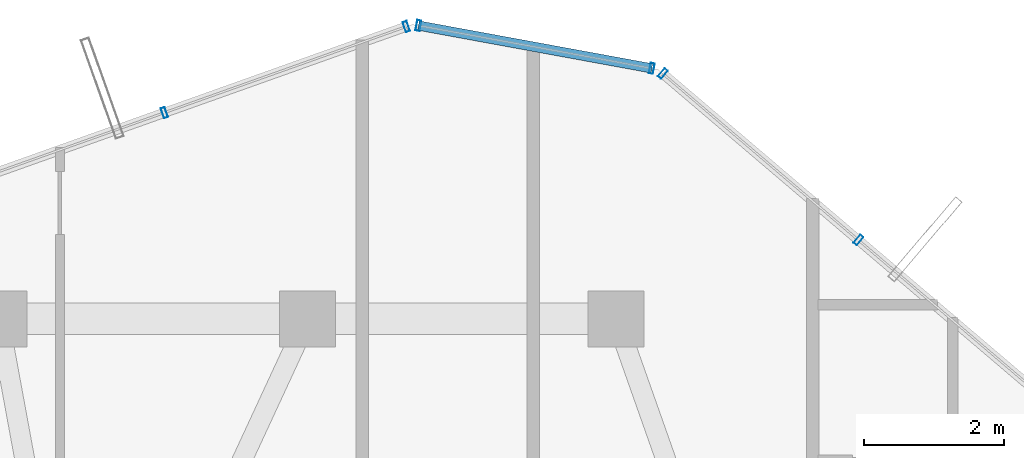
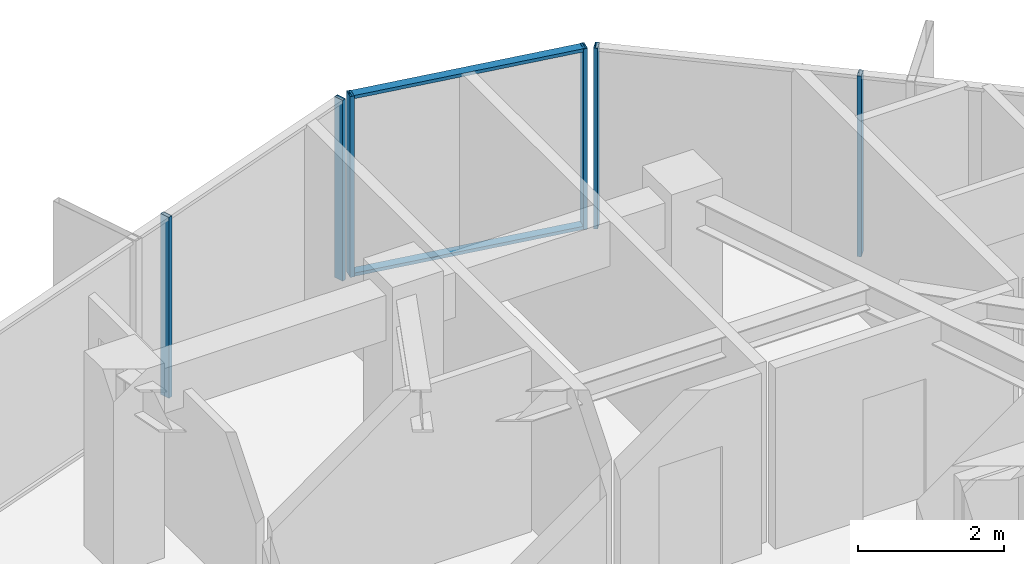
# One storey, part 23 of 29: 8 members, 3 elements without a shape of their own.
"""IFC4 building model written with IfcOpenShell, lengths in metres."""

import ifcopenshell
import ifcopenshell.guid

model = None  # the IFC model being written
_history = None  # IfcOwnerHistory: only IFC2X3 demands one
_inside = {}  # id of a spatial element -> (the spatial element, [elements in it])
_under = {}  # id of a project, library or spatial element -> (it, [spatial elements below it])
_declared = {}  # id of a project -> (the project, [libraries it declares])
_typed = {}  # id of a type object -> (the type object, [elements of that type])
_made_of = {}  # id of a material, layer set ... -> (it, [elements and type objects made of it])


def new_model(schema):
    """Start an empty IFC model of exactly this schema.

    Asked for "IFC4X3", IfcOpenShell would pick the latest addendum, in which some entities
    have other attributes; the version numbers below select the first issue.
    IFC2X3 requires an IfcOwnerHistory on every rooted entity: one is made here for all.
    """
    global model, _history
    if schema == "IFC4X3":
        model = ifcopenshell.file(schema_version=(4, 3, 0, 0))
    else:
        model = ifcopenshell.file(schema=schema)
    _inside.clear()
    _under.clear()
    _declared.clear()
    _typed.clear()
    _made_of.clear()
    _history = None
    if model.schema == "IFC2X3":
        org = make("IfcOrganization", Name="unknown")
        user = make(
            "IfcPersonAndOrganization",
            ThePerson=make("IfcPerson", FamilyName="unknown"),
            TheOrganization=org,
        )
        app = make(
            "IfcApplication",
            ApplicationDeveloper=org,
            Version="unknown",
            ApplicationFullName="unknown",
            ApplicationIdentifier="unknown",
        )
        _history = make(
            "IfcOwnerHistory",
            OwningUser=user,
            OwningApplication=app,
            ChangeAction="ADDED",
            CreationDate=0,
        )
    return model


def make(cls, **values):
    """One entity of the class cls with the attributes given. An attribute that is None is left unset."""
    return model.create_entity(
        cls, **{name: value for name, value in values.items() if value is not None}
    )


def rooted(cls, **values):
    """An entity with a GlobalId (a new one), such as an element, a storey or a relation."""
    return make(cls, GlobalId=ifcopenshell.guid.new(), OwnerHistory=_history, **values)


def si_unit(unit_type, name, prefix=None):
    """IfcSIUnit, for example si_unit("LENGTHUNIT", "METRE", prefix="MILLI")."""
    return make("IfcSIUnit", UnitType=unit_type, Prefix=prefix, Name=name)


def assignment(units):
    """IfcUnitAssignment: the units of a project."""
    return None if units is None else make("IfcUnitAssignment", Units=units)


def point(xyz):
    """IfcCartesianPoint."""
    return None if xyz is None else make("IfcCartesianPoint", Coordinates=xyz)


def direction(xyz):
    """IfcDirection."""
    return None if xyz is None else make("IfcDirection", DirectionRatios=xyz)


def frame(location, z_axis=None, x_axis=None):
    """IfcAxis2Placement3D, a coordinate frame: its origin and axes. An axis left out is left unset."""
    return make(
        "IfcAxis2Placement3D",
        Location=point(location),
        Axis=direction(z_axis),
        RefDirection=direction(x_axis),
    )


def frame_2d(location, x_axis=None):
    """IfcAxis2Placement2D, a coordinate frame in the plane: its origin and x axis."""
    return make(
        "IfcAxis2Placement2D", Location=point(location), RefDirection=direction(x_axis)
    )


def origin():
    """The frame at (0, 0, 0) with its axes left unset."""
    return frame((0.0, 0.0, 0.0))


def origin_2d():
    """The frame at (0, 0) in the plane with its x axis left unset."""
    return frame_2d((0.0, 0.0))


def place(relative_to, where):
    """IfcLocalPlacement: puts the frame where relative to a parent placement (None: the world)."""
    return make(
        "IfcLocalPlacement", PlacementRelTo=relative_to, RelativePlacement=where
    )


def context(
    kind, dimensions, precision=None, world=None, true_north=None, identifier=None
):
    """IfcGeometricRepresentationContext, for example the 3D "Model" context."""
    return make(
        "IfcGeometricRepresentationContext",
        ContextIdentifier=identifier,
        ContextType=kind,
        CoordinateSpaceDimension=dimensions,
        Precision=precision,
        WorldCoordinateSystem=world,
        TrueNorth=true_north,
    )


def subcontext(parent, identifier, kind, view, scale=None):
    """IfcGeometricRepresentationSubContext, for example "Body" below "Model"."""
    return make(
        "IfcGeometricRepresentationSubContext",
        ContextIdentifier=identifier,
        ContextType=kind,
        ParentContext=parent,
        TargetScale=scale,
        TargetView=view,
    )


def project(units=None, contexts=None):
    """IfcProject with its units and contexts."""
    return rooted(
        "IfcProject",
        Name="project",
        RepresentationContexts=contexts,
        UnitsInContext=assignment(units),
    )


def spatial(cls, under=None, at=None, **own):
    """A site, building, storey or space (cls), placed at a placement, below another one or the project."""
    s = rooted(cls, ObjectPlacement=at, **own)
    if under is not None:
        _under.setdefault(under.id(), (under, []))[1].append(s)
    return s


def profile(cls, at=None, kind="AREA", **sizes):
    """A parametric profile (cls). Its sizes go by their IFC names, for example OverallWidth=200.0."""
    return make(cls, ProfileType=kind, Position=at, **sizes)


def hollow_rectangle(**sizes):
    """IfcRectangleHollowProfileDef."""
    return profile("IfcRectangleHollowProfileDef", **sizes)


def extrude(swept, where, along, depth):
    """IfcExtrudedAreaSolid: the profile swept, set in the frame where, extruded along a direction by depth."""
    return make(
        "IfcExtrudedAreaSolid",
        SweptArea=swept,
        Position=where,
        ExtrudedDirection=direction(along),
        Depth=depth,
    )


def shape(context_of_items, identifier, shape_type, items):
    """IfcShapeRepresentation: the items that make up one representation, for example the "Body"."""
    return make(
        "IfcShapeRepresentation",
        ContextOfItems=context_of_items,
        RepresentationIdentifier=identifier,
        RepresentationType=shape_type,
        Items=items,
    )


def source(mapping_origin, context_of_items, identifier, shape_type, items):
    """IfcRepresentationMap: a shape defined once, which mapped items show again and again."""
    return make(
        "IfcRepresentationMap",
        MappingOrigin=mapping_origin,
        MappedRepresentation=shape(context_of_items, identifier, shape_type, items),
    )


def transform(
    local_origin,
    x_axis=None,
    y_axis=None,
    z_axis=None,
    scale=None,
    scale2=None,
    scale3=None,
    uniform=True,
):
    """IfcCartesianTransformationOperator3D, or its non-uniform kind. x_axis, y_axis, z_axis: its Axis1, 2, 3."""
    if uniform:
        return make(
            "IfcCartesianTransformationOperator3D",
            Axis1=direction(x_axis),
            Axis2=direction(y_axis),
            LocalOrigin=point(local_origin),
            Scale=scale,
            Axis3=direction(z_axis),
        )
    return make(
        "IfcCartesianTransformationOperator3DnonUniform",
        Axis1=direction(x_axis),
        Axis2=direction(y_axis),
        LocalOrigin=point(local_origin),
        Scale=scale,
        Axis3=direction(z_axis),
        Scale2=scale2,
        Scale3=scale3,
    )


def mapped(mapping_source, mapping_target):
    """IfcMappedItem: shows the shape of a source again, moved by a transform."""
    return make(
        "IfcMappedItem", MappingSource=mapping_source, MappingTarget=mapping_target
    )


def material(Name=None, Category=None):
    """IfcMaterial."""
    return make("IfcMaterial", Name=Name, Category=Category)


def layer(
    of_material, thickness, ventilated=None, Name=None, Category=None, Priority=None
):
    """IfcMaterialLayer: one layer of a wall or slab, of a material (None: an air gap)."""
    return make(
        "IfcMaterialLayer",
        Material=of_material,
        LayerThickness=thickness,
        IsVentilated=ventilated,
        Name=Name,
        Category=Category,
        Priority=Priority,
    )


def layer_set(layers, Name=None):
    """IfcMaterialLayerSet."""
    return make("IfcMaterialLayerSet", MaterialLayers=layers, LayerSetName=Name)


def material_profile(
    of_material, cross_section, Name=None, Category=None, Priority=None
):
    """IfcMaterialProfile: a cross section and its material."""
    return make(
        "IfcMaterialProfile",
        Name=Name,
        Material=of_material,
        Profile=cross_section,
        Priority=Priority,
        Category=Category,
    )


def profile_set(profiles, Name=None, composite=None):
    """IfcMaterialProfileSet."""
    return make(
        "IfcMaterialProfileSet",
        Name=Name,
        MaterialProfiles=profiles,
        CompositeProfile=composite,
    )


def made_of(thing, what):
    """Note that an element or type object is made of a material, layer set ...; save() writes the relation."""
    if what is not None:
        _made_of.setdefault(what.id(), (what, []))[1].append(thing)
    return thing


def type_object(cls, material=None, **own):
    """A type object (cls), such as IfcWallType, which elements share."""
    return made_of(rooted(cls, **own), material)


def element(
    cls,
    number,
    at=None,
    inside=None,
    cuts=None,
    type_object=None,
    material=None,
    context=None,
    identifier="Body",
    shape_type=None,
    held_by="IfcProductDefinitionShape",
    body=None,
    shapes=None,
    **own,
):
    """One element of the class cls, such as IfcWall. Its Tag is "e" and its number.

    at: its placement. inside: the storey or other place that contains it. cuts: it is an
    opening in that element (IfcRelVoidsElement). A single representation is given by context,
    identifier, shape_type and body (its items); several are given by shapes. held_by: the class
    of the entity that holds the representations. save() writes the other relations.
    """
    e = rooted(cls, Tag="e%d" % number, ObjectPlacement=at, **own)
    if body is not None:
        shapes = [shape(context, identifier, shape_type, body)]
    if shapes is not None:
        e.Representation = make(held_by, Representations=shapes)
    if inside is not None:
        _inside.setdefault(inside.id(), (inside, []))[1].append(e)
    if cuts is not None:
        rooted(
            "IfcRelVoidsElement", RelatingBuildingElement=cuts, RelatedOpeningElement=e
        )
    if type_object is not None:
        _typed.setdefault(type_object.id(), (type_object, []))[1].append(e)
    return made_of(e, material)


def aggregate(whole, parts):
    """IfcRelAggregates: a whole, such as a stair, and the parts it consists of."""
    return rooted("IfcRelAggregates", RelatingObject=whole, RelatedObjects=parts)


def save(model, path):
    """Write the relations noted so far, then the file.

    IfcRelAggregates (storeys below a building ...), IfcRelContainedInSpatialStructure (elements
    in a storey), IfcRelDefinesByType, IfcRelAssociatesMaterial and IfcRelDeclares: one each for
    every whole, place, type object, material and project.
    """
    for whole, parts in _under.values():
        aggregate(whole, parts)
    for where, things in _inside.values():
        rooted(
            "IfcRelContainedInSpatialStructure",
            RelatedElements=things,
            RelatingStructure=where,
        )
    for kind, things in _typed.values():
        rooted("IfcRelDefinesByType", RelatedObjects=things, RelatingType=kind)
    for what, things in _made_of.values():
        rooted("IfcRelAssociatesMaterial", RelatedObjects=things, RelatingMaterial=what)
    for by, libraries in _declared.values():
        rooted("IfcRelDeclares", RelatingContext=by, RelatedDefinitions=libraries)
    model.write(path)


model = new_model("IFC4")

# Units and contexts
model_context = context("Model", 3, precision=1e-05, world=origin(), true_north=direction((0.0, 1.0)))
body_context = subcontext(model_context, "Body", "Model", "MODEL_VIEW")
ifc_project = project(units=[si_unit("LENGTHUNIT", "METRE"), si_unit("AREAUNIT", "SQUARE_METRE"), si_unit("VOLUMEUNIT", "CUBIC_METRE"), si_unit("PLANEANGLEUNIT", "RADIAN"), si_unit("MASSUNIT", "GRAM", prefix="KILO")], contexts=[model_context])

# Site, building, storey
site_placement = place(None, origin())
site = spatial("IfcSite", under=ifc_project, at=site_placement, CompositionType="ELEMENT")
building_placement = place(site_placement, origin())
building = spatial("IfcBuilding", under=site, at=building_placement, Name="Veraguas Prism Commons", CompositionType="ELEMENT")
storey_placement = place(building_placement, frame((0.0, 0.0, 244.75)))
storey = spatial("IfcBuildingStorey", under=building, at=storey_placement, Name="L69", CompositionType="ELEMENT", Elevation=244.75)

# Curtain wall, members
ifc_material = material(Name="Anodised aluminium EN AW-6063 T6", Category="aluminium")
ifc_layer = layer(ifc_material, 0.14990234375, Name="Unitised Flush Curtain Wall Zone 4", Category="aluminium")
ifc_layer_set = layer_set([ifc_layer], Name="Anodised aluminium EN AW-6063 T6")
curtain_wall_type = type_object("IfcCurtainWallType", Name="Unitised Flush Curtain Wall Zone 4", PredefinedType="NOTDEFINED", material=ifc_layer_set)
curtain_wall_1_placement = place(storey_placement, origin())
curtain_wall_1 = element("IfcCurtainWall", 1, at=curtain_wall_1_placement, inside=storey, type_object=curtain_wall_type, Name="Tower Facade Curtain Wall L69-F1", PredefinedType="NOTDEFINED")
ifc_material_profile_1 = material_profile(ifc_material, hollow_rectangle(XDim=0.06005859375, YDim=0.14990234375, WallThickness=0.0029296875, at=origin_2d()), Name="AL60X150X3")
ifc_profile_set_1 = profile_set([ifc_material_profile_1], Name="Anodised aluminium EN AW-6063 T6")
member_type_1 = type_object("IfcMemberType", Name="Curtain Wall Mullion Upper AL 60x150x3", PredefinedType="MULLION", material=ifc_profile_set_1)
shared_shape_1 = source(origin(), body_context, "Body", "SweptSolid", [
    extrude(hollow_rectangle(XDim=0.06005859375, YDim=0.14990234375, WallThickness=0.0029296875, at=origin_2d()), origin(), (0.0, 0.0, 1.0), 3.014892578125),
])
member_1_placement = place(storey_placement, frame((31.853271484375, 38.92333984375, 0.0), z_axis=(0.0, 0.0, 1.0), x_axis=(-0.761538307537, 0.648119901063, 0.0)))
member_1 = element("IfcMember", 2, at=member_1_placement, type_object=member_type_1, Name="CW-Z4 Mullion 4", PredefinedType="MULLION", context=body_context, shape_type="MappedRepresentation", body=[
    mapped(shared_shape_1, transform((0.0, 0.0, 0.0), scale=1.0)),
])
member_2_placement = place(storey_placement, frame((29.064697265625, 41.29638671875, 0.0), z_axis=(0.0, 0.0, 1.0), x_axis=(-0.761538307537, 0.648119901063, 0.0)))
member_2 = element("IfcMember", 3, at=member_2_placement, type_object=member_type_1, Name="CW-Z4 Mullion 5", PredefinedType="MULLION", context=body_context, shape_type="MappedRepresentation", body=[
    mapped(shared_shape_1, transform((0.0, 0.0, 0.0), scale=1.0)),
])
aggregate(curtain_wall_1, [member_1, member_2])

curtain_wall_2_placement = place(storey_placement, origin())
curtain_wall_2 = element("IfcCurtainWall", 4, at=curtain_wall_2_placement, inside=storey, type_object=curtain_wall_type, Name="Tower Facade Curtain Wall L69-F2", PredefinedType="NOTDEFINED")
member_3_placement = place(storey_placement, frame((25.407470703125, 41.9677734375, 0.0), z_axis=(0.0, 0.0, 1.0), x_axis=(-0.942055696354, -0.335456502347, 0.0)))
member_3 = element("IfcMember", 5, at=member_3_placement, type_object=member_type_1, Name="CW-Z4 Mullion 1", PredefinedType="MULLION", context=body_context, shape_type="MappedRepresentation", body=[
    mapped(shared_shape_1, transform((0.0, 0.0, 0.0), scale=1.0)),
])
member_4_placement = place(storey_placement, frame((21.9580078125, 40.739501953125, 0.0), z_axis=(0.0, 0.0, 1.0), x_axis=(-0.942055696354, -0.335456502347, 0.0)))
member_4 = element("IfcMember", 6, at=member_4_placement, type_object=member_type_1, Name="CW-Z4 Mullion 2", PredefinedType="MULLION", context=body_context, shape_type="MappedRepresentation", body=[
    mapped(shared_shape_1, transform((0.0, 0.0, 0.0), scale=1.0)),
])
aggregate(curtain_wall_2, [member_3, member_4])

curtain_wall_3_placement = place(storey_placement, origin())
curtain_wall_3 = element("IfcCurtainWall", 7, at=curtain_wall_3_placement, inside=storey, type_object=curtain_wall_type, Name="Chamfer Curtain Wall L69-C2", PredefinedType="NOTDEFINED")
member_5_placement = place(storey_placement, frame((28.90771484375, 41.37109375, 0.0), z_axis=(0.0, 0.0, 1.0), x_axis=(-0.983568635104, 0.180534595133, 0.0)))
member_5 = element("IfcMember", 8, at=member_5_placement, type_object=member_type_1, Name="CW-Z4 Mullion 1", PredefinedType="MULLION", context=body_context, shape_type="MappedRepresentation", body=[
    mapped(shared_shape_1, transform((0.0, 0.0, 0.0), scale=1.0)),
])
member_6_placement = place(storey_placement, frame((25.580810546875, 41.981689453125, 0.0), z_axis=(0.0, 0.0, 1.0), x_axis=(-0.983568635104, 0.180534595133, 0.0)))
member_6 = element("IfcMember", 9, at=member_6_placement, type_object=member_type_1, Name="CW-Z4 Mullion 2", PredefinedType="MULLION", context=body_context, shape_type="MappedRepresentation", body=[
    mapped(shared_shape_1, transform((0.0, 0.0, 0.0), scale=1.0)),
])
ifc_material_profile_2 = material_profile(ifc_material, hollow_rectangle(XDim=0.054931640625, YDim=0.135009765625, WallThickness=0.0029296875, at=origin_2d()), Name="AL55X135X3")
ifc_profile_set_2 = profile_set([ifc_material_profile_2], Name="Anodised aluminium EN AW-6063 T6")
member_type_2 = type_object("IfcMemberType", Name="Curtain Wall Transom Standard AL 55x135x3", PredefinedType="USERDEFINED", material=ifc_profile_set_2)
shared_shape_2 = source(origin(), body_context, "Body", "SweptSolid", [
    extrude(hollow_rectangle(XDim=0.054931640625, YDim=0.135009765625, WallThickness=0.0029296875, at=origin_2d()), origin(), (0.0, 0.0, 1.0), 3.382568359375),
])
member_7_placement = place(storey_placement, frame((28.90771484375, 41.37109375, 0.027587890625), z_axis=(-0.983571759336, 0.180517573208, 0.0), x_axis=(0.0, 0.0, 1.0)))
member_7 = element("IfcMember", 10, at=member_7_placement, type_object=member_type_2, Name="CW-Z4 Transom 1", ObjectType="TRANSOM", PredefinedType="USERDEFINED", context=body_context, shape_type="MappedRepresentation", body=[
    mapped(shared_shape_2, transform((0.0, 0.0, 0.0), scale=1.0)),
])
member_8_placement = place(storey_placement, frame((28.90771484375, 41.37109375, 2.987548828125), z_axis=(-0.983571759336, 0.180517573208, 0.0), x_axis=(0.0, 0.0, 1.0)))
member_8 = element("IfcMember", 11, at=member_8_placement, type_object=member_type_2, Name="CW-Z4 Transom 2", ObjectType="TRANSOM", PredefinedType="USERDEFINED", context=body_context, shape_type="MappedRepresentation", body=[
    mapped(shared_shape_2, transform((0.0, 0.0, 0.0), scale=1.0)),
])
aggregate(curtain_wall_3, [member_5, member_6, member_7, member_8])

save(model, "model.ifc")
